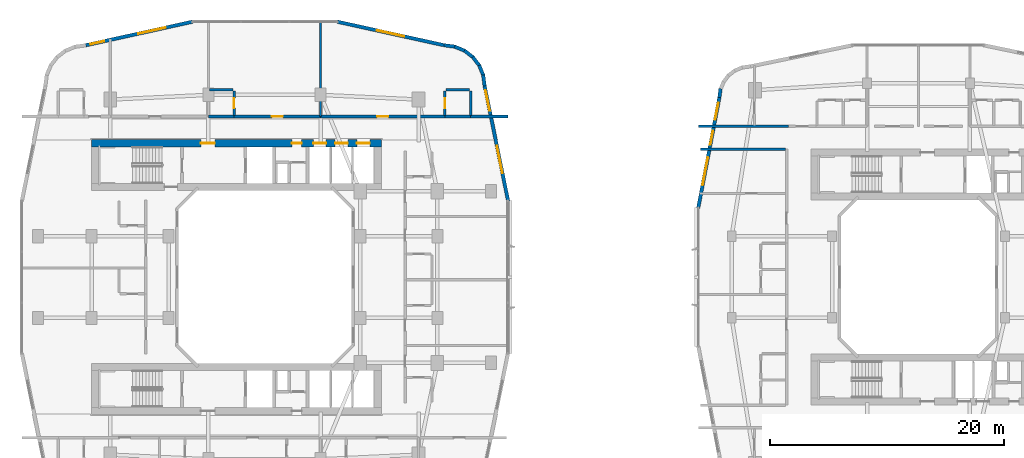
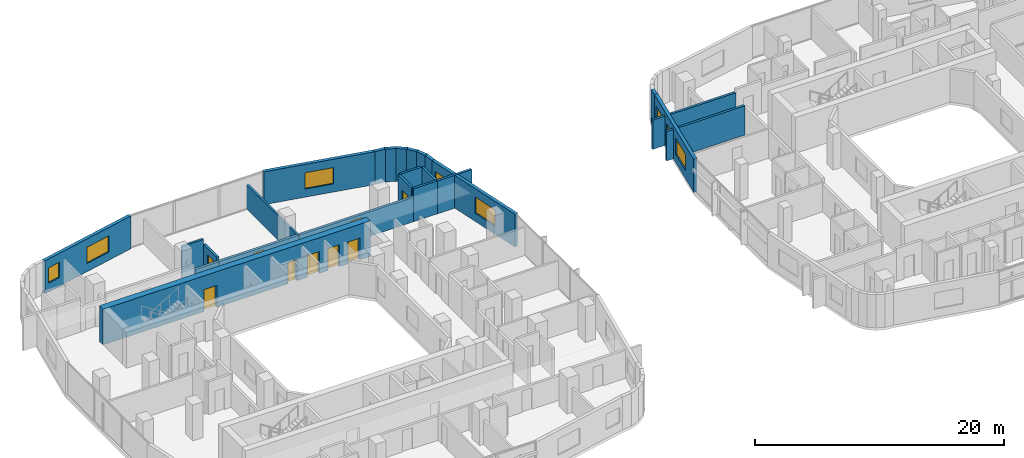
# One storey, part 17 of 27: 25 walls, 9 doors, 8 windows, 17 openings.
"""IFC4 building model written with IfcOpenShell, lengths in metres."""

from ifc_helpers import new_model, si_unit, derived_unit, direction, frame, frame_2d, origin, place, context, subcontext, project, spatial, rectangle, extrude, material, layer, layer_set, type_object, element, fill, save


model = new_model("IFC4")

# Units and contexts
model_context = context("Model", 3, precision=1e-05, world=origin(), true_north=direction((0.0, 1.0)))
body_context = subcontext(model_context, "Body", "Model", "MODEL_VIEW")
ifc_project = project(units=[si_unit("LENGTHUNIT", "METRE"), si_unit("AREAUNIT", "SQUARE_METRE"), si_unit("VOLUMEUNIT", "CUBIC_METRE"), si_unit("PLANEANGLEUNIT", "RADIAN"), si_unit("MASSUNIT", "GRAM", prefix="KILO"), derived_unit("THERMALTRANSMITTANCEUNIT", [(si_unit("POWERUNIT", "WATT"), 1), (si_unit("LENGTHUNIT", "METRE"), -2), (si_unit("THERMODYNAMICTEMPERATUREUNIT", "KELVIN"), -1)])], contexts=[model_context])

# Site, building, storey
site_placement = place(None, origin())
site = spatial("IfcSite", under=ifc_project, at=site_placement, CompositionType="ELEMENT")
building_placement = place(site_placement, origin())
building = spatial("IfcBuilding", under=site, at=building_placement, Name="Kivonza Crest Hotel", CompositionType="ELEMENT")
storey_placement = place(building_placement, frame((0.0, 0.0, 41.5)))
storey = spatial("IfcBuildingStorey", under=building, at=storey_placement, Name="L10", CompositionType="ELEMENT", Elevation=41.5)

# Walls
ifc_material_1 = material(Name="High-density acoustic masonry inter-tenancy wall", Category="masonry")
ifc_layer_1 = layer(ifc_material_1, 0.179931640625)
ifc_layer_set_1 = layer_set([ifc_layer_1], Name="High-density acoustic masonry inter-tenancy wall")
wall_type_1 = type_object("IfcWallType", Name="WL-ACOU-180", PredefinedType="SOLIDWALL", material=ifc_layer_set_1)
wall_1_placement = place(storey_placement, frame((25.800048828125, 38.75, 0.0), z_axis=(0.0, 0.0, 1.0), x_axis=(0.0, 1.0, 0.0)))
element("IfcWall", 1, at=wall_1_placement, inside=storey, type_object=wall_type_1, Name="L10 interior partition WA-L10-T1N-DIV3", PredefinedType="SOLIDWALL", context=body_context, shape_type="SweptSolid", body=[
    extrude(rectangle(XDim=8.18994140625, YDim=0.179931640625, at=frame_2d((4.094970703125, 0.0))), origin(), (0.0, 0.0, 1.0), 2.39501953125),
])
ifc_material_2 = material(Name="Autoclaved aerated concrete blockwork", Category="masonry")
ifc_layer_2 = layer(ifc_material_2, 0.219970703125)
ifc_layer_set_2 = layer_set([ifc_layer_2], Name="Autoclaved aerated concrete blockwork")
wall_type_2 = type_object("IfcWallType", Name="WL-ACOU-220", PredefinedType="SOLIDWALL", material=ifc_layer_set_2)
wall_2_placement = place(storey_placement, frame((16.199951171875, 38.75, 0.0), z_axis=(0.0, 0.0, 1.0), x_axis=(1.0, 0.0, 0.0)))
element("IfcWall", 2, at=wall_2_placement, inside=storey, type_object=wall_type_2, Name="L10 interior partition WA-L10-N02-BCORR", PredefinedType="SOLIDWALL", context=body_context, shape_type="SweptSolid", body=[
    extrude(rectangle(XDim=2.199951171875, YDim=0.219970703125, at=frame_2d((1.10009765625, 0.0))), origin(), (0.0, 0.0, 1.0), 2.39501953125),
])

# Wall, opening, door
wall_3_placement = place(storey_placement, frame((18.39990234375, 38.75, 0.0), z_axis=(0.0, 0.0, 1.0), x_axis=(1.0, 0.0, 0.0)))
wall_3 = element("IfcWall", 3, at=wall_3_placement, inside=storey, type_object=wall_type_2, Name="L10 interior partition WA-L10-N02-MCORR", PredefinedType="SOLIDWALL", context=body_context, shape_type="SweptSolid", body=[
    extrude(rectangle(XDim=7.400146484375, YDim=0.219970703125, at=frame_2d((3.7001953125, 0.0))), origin(), (0.0, 0.0, 1.0), 2.39501953125),
])
opening_1_placement = place(wall_3_placement, frame((3.22509765625, 0.0, 0.0)))
opening_1 = element("IfcOpeningElement", 4, at=opening_1_placement, cuts=wall_3, Name="Opening DU-60", PredefinedType="OPENING", context=body_context, shape_type="SweptSolid", body=[
    extrude(rectangle(XDim=0.949951171875, YDim=2.10009765625, at=frame_2d((0.47509765625, 1.050048828125))), frame((0.0, 0.1201171875, 0.0), z_axis=(0.0, -1.0, 0.0), x_axis=(1.0, 0.0, 0.0)), (0.0, 0.0, 1.0), 0.239990234375),
])
ifc_material_3 = material(Name="Hardwood timber oak", Category="wood")
door_type_1 = type_object("IfcDoorType", Name="DR-UNIT-950", OperationType="NOTDEFINED", PredefinedType="DOOR", material=ifc_material_3)
door_1_placement = place(opening_1_placement, origin())
door_1 = element("IfcDoor", 5, at=door_1_placement, inside=storey, type_object=door_type_1, Name="L10 N02 guest unit entrance fire door", OperationType="SINGLE_SWING_RIGHT", OverallHeight=2.10009765625, OverallWidth=0.949951171875, PredefinedType="DOOR", context=body_context, shape_type="SweptSolid", body=[
    extrude(rectangle(XDim=0.949951171875, YDim=2.10009765625, at=frame_2d((0.47509765625, 1.050048828125))), frame((0.0, 0.02490234375, 0.0), z_axis=(0.0, -1.0, 0.0), x_axis=(1.0, 0.0, 0.0)), (0.0, 0.0, 1.0), 0.050048828125),
])
fill(opening_1, door_1)

# Walls
wall_4_placement = place(storey_placement, frame((38.64990234375, 38.75, 0.0), z_axis=(0.0, 0.0, 1.0), x_axis=(1.0, 0.0, 0.0)))
element("IfcWall", 6, at=wall_4_placement, inside=storey, type_object=wall_type_2, Name="L10 interior partition WA-L10-N03-XCORR", PredefinedType="SOLIDWALL", context=body_context, shape_type="SweptSolid", body=[
    extrude(rectangle(XDim=3.190185546875, YDim=0.219970703125, at=frame_2d((1.59521484375, 0.0))), origin(), (0.0, 0.0, 1.0), 3.219970703125),
])
wall_5_placement = place(storey_placement, frame((36.449951171875, 38.75, 0.0), z_axis=(0.0, 0.0, 1.0), x_axis=(1.0, 0.0, 0.0)))
element("IfcWall", 7, at=wall_5_placement, inside=storey, type_object=wall_type_2, Name="L10 interior partition WA-L10-N03-BCORR", PredefinedType="SOLIDWALL", context=body_context, shape_type="SweptSolid", body=[
    extrude(rectangle(XDim=2.199951171875, YDim=0.219970703125, at=frame_2d((1.10009765625, 0.0))), origin(), (0.0, 0.0, 1.0), 3.219970703125),
])

# Wall, opening, door
wall_6_placement = place(storey_placement, frame((25.800048828125, 38.75, 0.0), z_axis=(0.0, 0.0, 1.0), x_axis=(1.0, 0.0, 0.0)))
wall_6 = element("IfcWall", 8, at=wall_6_placement, inside=storey, type_object=wall_type_2, Name="L10 interior partition WA-L10-N03-MCORR", PredefinedType="SOLIDWALL", context=body_context, shape_type="SweptSolid", body=[
    extrude(rectangle(XDim=10.64990234375, YDim=0.219970703125, at=frame_2d((5.324951171875, 0.0))), origin(), (0.0, 0.0, 1.0), 2.39501953125),
])
opening_2_placement = place(wall_6_placement, frame((4.85009765625, 0.0, 0.0)))
opening_2 = element("IfcOpeningElement", 9, at=opening_2_placement, cuts=wall_6, Name="Opening DU-60", PredefinedType="OPENING", context=body_context, shape_type="SweptSolid", body=[
    extrude(rectangle(XDim=0.949951171875, YDim=2.10009765625, at=frame_2d((0.47509765625, 1.050048828125))), frame((0.0, 0.1201171875, 0.0), z_axis=(0.0, -1.0, 0.0), x_axis=(1.0, 0.0, 0.0)), (0.0, 0.0, 1.0), 0.239990234375),
])
door_2_placement = place(opening_2_placement, origin())
door_2 = element("IfcDoor", 10, at=door_2_placement, inside=storey, type_object=door_type_1, Name="L10 N03 guest unit entrance fire door", OperationType="SINGLE_SWING_LEFT", OverallHeight=2.10009765625, OverallWidth=0.949951171875, PredefinedType="DOOR", context=body_context, shape_type="SweptSolid", body=[
    extrude(rectangle(XDim=0.949951171875, YDim=2.10009765625, at=frame_2d((0.47509765625, 1.050048828125))), frame((0.0, 0.02490234375, 0.0), z_axis=(0.0, -1.0, 0.0), x_axis=(1.0, 0.0, 0.0)), (0.0, 0.0, 1.0), 0.050048828125),
])
fill(opening_2, door_2)

# Walls
wall_7_placement = place(storey_placement, frame((58.159912109375, 37.89990234375, 0.0), z_axis=(0.0, 0.0, 1.0), x_axis=(1.0, 0.0, 0.0)))
element("IfcWall", 11, at=wall_7_placement, inside=storey, type_object=wall_type_2, Name="L10 interior partition WA-L10-A01-LCORR", PredefinedType="SOLIDWALL", context=body_context, shape_type="SweptSolid", body=[
    extrude(rectangle(XDim=7.690185546875, YDim=0.219970703125, at=frame_2d((3.84521484375, 0.0))), origin(), (0.0, 0.0, 1.0), 2.864990234375),
])
wall_8_placement = place(storey_placement, frame((58.320068359375, 35.9599609375, 0.0), z_axis=(0.0, 0.0, 1.0), x_axis=(1.0, 0.0, 0.0)))
element("IfcWall", 12, at=wall_8_placement, inside=storey, type_object=wall_type_2, Name="L10 interior partition WA-L10-T2W-ENDN", PredefinedType="SOLIDWALL", context=body_context, shape_type="SweptSolid", body=[
    extrude(rectangle(XDim=7.280029296875, YDim=0.219970703125, at=frame_2d((3.64013671875, 0.0))), origin(), (0.0, 0.0, 1.0), 2.864990234375),
])

# Wall, openings, doors
ifc_material_4 = material(Name="Concrete C60/75", Category="concrete")
ifc_layer_3 = layer(ifc_material_4, 0.60009765625)
ifc_layer_set_3 = layer_set([ifc_layer_3], Name="Concrete C60/75")
wall_type_3 = type_object("IfcWallType", Name="WL-CORE-600", PredefinedType="SHEAR", material=ifc_layer_set_3)
wall_9_placement = place(storey_placement, frame((6.199951171875, 36.4599609375, 0.0), z_axis=(0.0, 0.0, 1.0), x_axis=(1.0, 0.0, 0.0)))
wall_9 = element("IfcWall", 13, at=wall_9_placement, inside=storey, type_object=wall_type_3, Name="Core wall T1-N North L10", PredefinedType="SHEAR", context=body_context, shape_type="SweptSolid", body=[
    extrude(rectangle(XDim=24.800048828125, YDim=0.60009765625, at=frame_2d((12.39990234375, 0.0))), origin(), (0.0, 0.0, 1.0), 3.5),
])
opening_3_placement = place(wall_9_placement, frame((9.35009765625, 0.0, 0.0)))
opening_3 = element("IfcOpeningElement", 14, at=opening_3_placement, cuts=wall_9, Name="Opening DF-60", PredefinedType="OPENING", context=body_context, shape_type="SweptSolid", body=[
    extrude(rectangle(XDim=1.199951171875, YDim=2.14990234375, at=frame_2d((0.60009765625, 1.074951171875))), frame((0.0, 0.31005859375, 0.0), z_axis=(0.0, -1.0, 0.0), x_axis=(1.0, 0.0, 0.0)), (0.0, 0.0, 1.0), 0.6201171875),
])
opening_4_placement = place(wall_9_placement, frame((17.139892578125, 0.0, 0.0)))
opening_4 = element("IfcOpeningElement", 15, at=opening_4_placement, cuts=wall_9, Name="Opening DF-60R", PredefinedType="OPENING", context=body_context, shape_type="SweptSolid", body=[
    extrude(rectangle(XDim=0.85009765625, YDim=2.10009765625, at=frame_2d((0.425048828125, 1.050048828125))), frame((0.0, 0.31005859375, 0.0), z_axis=(0.0, -1.0, 0.0), x_axis=(1.0, 0.0, 0.0)), (0.0, 0.0, 1.0), 0.6201171875),
])
opening_5_placement = place(wall_9_placement, frame((18.98291015625, 0.0, 0.0)))
opening_5 = element("IfcOpeningElement", 16, at=opening_5_placement, cuts=wall_9, Name="Opening LD-120", PredefinedType="OPENING", context=body_context, shape_type="SweptSolid", body=[
    extrude(rectangle(XDim=1.10009765625, YDim=2.14990234375, at=frame_2d((0.550048828125, 1.074951171875))), frame((0.0, 0.31005859375, 0.0), z_axis=(0.0, -1.0, 0.0), x_axis=(1.0, 0.0, 0.0)), (0.0, 0.0, 1.0), 0.6201171875),
])
opening_6_placement = place(wall_9_placement, frame((20.85009765625, 0.0, 0.0)))
opening_6 = element("IfcOpeningElement", 17, at=opening_6_placement, cuts=wall_9, Name="Opening LD-120", PredefinedType="OPENING", context=body_context, shape_type="SweptSolid", body=[
    extrude(rectangle(XDim=1.10009765625, YDim=2.14990234375, at=frame_2d((0.550048828125, 1.074951171875))), frame((0.0, 0.31005859375, 0.0), z_axis=(0.0, -1.0, 0.0), x_axis=(1.0, 0.0, 0.0)), (0.0, 0.0, 1.0), 0.6201171875),
])
opening_7_placement = place(wall_9_placement, frame((22.716064453125, 0.0, 0.0)))
opening_7 = element("IfcOpeningElement", 18, at=opening_7_placement, cuts=wall_9, Name="Opening LD-120", PredefinedType="OPENING", context=body_context, shape_type="SweptSolid", body=[
    extrude(rectangle(XDim=1.10009765625, YDim=2.14990234375, at=frame_2d((0.550048828125, 1.074951171875))), frame((0.0, 0.31005859375, 0.0), z_axis=(0.0, -1.0, 0.0), x_axis=(1.0, 0.0, 0.0)), (0.0, 0.0, 1.0), 0.6201171875),
])
door_type_2 = type_object("IfcDoorType", Name="DR-FD60-1200", OperationType="NOTDEFINED", PredefinedType="DOOR", material=ifc_material_3)
door_3_placement = place(opening_3_placement, origin())
door_3 = element("IfcDoor", 19, at=door_3_placement, inside=storey, type_object=door_type_2, Name="L10 T1-N firefighting lobby fire door", OperationType="SINGLE_SWING_RIGHT", OverallHeight=2.14990234375, OverallWidth=1.199951171875, PredefinedType="DOOR", context=body_context, shape_type="SweptSolid", body=[
    extrude(rectangle(XDim=1.199951171875, YDim=2.14990234375, at=frame_2d((0.60009765625, 1.074951171875))), frame((0.0, 0.02490234375, 0.0), z_axis=(0.0, -1.0, 0.0), x_axis=(1.0, 0.0, 0.0)), (0.0, 0.0, 1.0), 0.050048828125),
])
fill(opening_3, door_3)
door_type_3 = type_object("IfcDoorType", Name="DR-FD60-850", OperationType="NOTDEFINED", PredefinedType="DOOR", material=ifc_material_3)
door_4_placement = place(opening_4_placement, origin())
door_4 = element("IfcDoor", 20, at=door_4_placement, inside=storey, type_object=door_type_3, Name="L10 T1-N core room door", OperationType="SINGLE_SWING_RIGHT", OverallHeight=2.10009765625, OverallWidth=0.85009765625, PredefinedType="DOOR", context=body_context, shape_type="SweptSolid", body=[
    extrude(rectangle(XDim=0.85009765625, YDim=2.10009765625, at=frame_2d((0.425048828125, 1.050048828125))), frame((0.0, 0.02490234375, 0.0), z_axis=(0.0, -1.0, 0.0), x_axis=(1.0, 0.0, 0.0)), (0.0, 0.0, 1.0), 0.050048828125),
])
fill(opening_4, door_4)
ifc_material_5 = material(Name="Stainless steel", Category="steel")
door_type_4 = type_object("IfcDoorType", Name="DR-LD120-1100", OperationType="NOTDEFINED", PredefinedType="DOOR", material=ifc_material_5)
door_5_placement = place(opening_5_placement, origin())
door_5 = element("IfcDoor", 21, at=door_5_placement, inside=storey, type_object=door_type_4, Name="L10 PL-T1-L1 passenger lift sliding landing door", OperationType="DOUBLE_DOOR_SLIDING", OverallHeight=2.14990234375, OverallWidth=1.10009765625, PredefinedType="DOOR", context=body_context, shape_type="SweptSolid", body=[
    extrude(rectangle(XDim=1.10009765625, YDim=2.14990234375, at=frame_2d((0.550048828125, 1.074951171875))), frame((0.0, 0.02490234375, 0.0), z_axis=(0.0, -1.0, 0.0), x_axis=(1.0, 0.0, 0.0)), (0.0, 0.0, 1.0), 0.050048828125),
])
fill(opening_5, door_5)
door_6_placement = place(opening_6_placement, origin())
door_6 = element("IfcDoor", 22, at=door_6_placement, inside=storey, type_object=door_type_4, Name="L10 PL-T1-L2 passenger lift sliding landing door", OperationType="DOUBLE_DOOR_SLIDING", OverallHeight=2.14990234375, OverallWidth=1.10009765625, PredefinedType="DOOR", context=body_context, shape_type="SweptSolid", body=[
    extrude(rectangle(XDim=1.10009765625, YDim=2.14990234375, at=frame_2d((0.550048828125, 1.074951171875))), frame((0.0, 0.02490234375, 0.0), z_axis=(0.0, -1.0, 0.0), x_axis=(1.0, 0.0, 0.0)), (0.0, 0.0, 1.0), 0.050048828125),
])
fill(opening_6, door_6)
door_7_placement = place(opening_7_placement, origin())
door_7 = element("IfcDoor", 23, at=door_7_placement, inside=storey, type_object=door_type_4, Name="L10 PL-T1-L3 passenger lift sliding landing door", OperationType="DOUBLE_DOOR_SLIDING", OverallHeight=2.14990234375, OverallWidth=1.10009765625, PredefinedType="DOOR", context=body_context, shape_type="SweptSolid", body=[
    extrude(rectangle(XDim=1.10009765625, YDim=2.14990234375, at=frame_2d((0.550048828125, 1.074951171875))), frame((0.0, 0.02490234375, 0.0), z_axis=(0.0, -1.0, 0.0), x_axis=(1.0, 0.0, 0.0)), (0.0, 0.0, 1.0), 0.050048828125),
])
fill(opening_7, door_7)

# Wall, openings, windows
ifc_material_6 = material(Name="Precast concrete C40/50", Category="concrete")
ifc_layer_4 = layer(ifc_material_6, 0.300048828125)
ifc_layer_set_4 = layer_set([ifc_layer_4], Name="Precast concrete C40/50")
wall_type_4 = type_object("IfcWallType", Name="WL-EXT-300", PredefinedType="STANDARD", material=ifc_layer_set_4)
wall_10_placement = place(storey_placement, frame((41.864013671875, 31.51611328125, 0.0), z_axis=(0.0, 0.0, 1.0), x_axis=(-0.199990901713, 0.979797754249, 0.0)))
wall_10 = element("IfcWall", 24, at=wall_10_placement, inside=storey, type_object=wall_type_4, Name="L10 T1 exterior insulated wall 18", PredefinedType="STANDARD", context=body_context, shape_type="SweptSolid", body=[
    extrude(rectangle(XDim=10.065185546875, YDim=0.300048828125, at=frame_2d((5.03271484375, 0.0))), origin(), (0.0, 0.0, 1.0), 3.219970703125),
])
opening_8_placement = place(wall_10_placement, frame((2.428955078125, 0.0, 0.800048828125)))
opening_8 = element("IfcOpeningElement", 25, at=opening_8_placement, cuts=wall_10, Name="Opening WN-05", PredefinedType="OPENING", context=body_context, shape_type="SweptSolid", body=[
    extrude(rectangle(XDim=2.39990234375, YDim=1.60009765625, at=frame_2d((1.199951171875, 0.800048828125))), frame((0.0, 0.16015625, 0.0), z_axis=(0.0, -1.0, 0.0), x_axis=(1.0, 0.0, 0.0)), (0.0, 0.0, 1.0), 0.320068359375),
])
opening_9_placement = place(wall_10_placement, frame((7.886962890625, 0.0, 0.85009765625)))
opening_9 = element("IfcOpeningElement", 26, at=opening_9_placement, cuts=wall_10, Name="Opening WN-03", PredefinedType="OPENING", context=body_context, shape_type="SweptSolid", body=[
    extrude(rectangle(XDim=1.800048828125, YDim=1.5, at=frame_2d((0.89990234375, 0.75))), frame((0.0, 0.16015625, 0.0), z_axis=(0.0, -1.0, 0.0), x_axis=(1.0, 0.0, 0.0)), (0.0, 0.0, 1.0), 0.320068359375),
])
ifc_material_7 = material(Name="Thermally broken bronze aluminium and low-E double glazing", Category="aluminium")
window_type_1 = type_object("IfcWindowType", Name="WN-180x150", PartitioningType="DOUBLE_PANEL_VERTICAL", PredefinedType="WINDOW", material=ifc_material_7)
window_1_placement = place(opening_9_placement, origin())
window_1 = element("IfcWindow", 27, at=window_1_placement, inside=storey, type_object=window_type_1, Name="L10 T1 facade window 18 bay 2", OverallHeight=1.5, OverallWidth=1.800048828125, PartitioningType="SINGLE_PANEL", PredefinedType="WINDOW", context=body_context, shape_type="SweptSolid", body=[
    extrude(rectangle(XDim=1.800048828125, YDim=1.5, at=frame_2d((0.89990234375, 0.75))), frame((0.0, 0.030029296875, 0.0), z_axis=(0.0, -1.0, 0.0), x_axis=(1.0, 0.0, 0.0)), (0.0, 0.0, 1.0), 0.06005859375),
])
fill(opening_9, window_1)
window_type_2 = type_object("IfcWindowType", Name="WN-240x160", PartitioningType="TRIPLE_PANEL_VERTICAL", PredefinedType="WINDOW", material=ifc_material_7)
window_2_placement = place(opening_8_placement, origin())
window_2 = element("IfcWindow", 28, at=window_2_placement, inside=storey, type_object=window_type_2, Name="L10 T1 facade window 18 bay 1", OverallHeight=1.60009765625, OverallWidth=2.39990234375, PartitioningType="SINGLE_PANEL", PredefinedType="WINDOW", context=body_context, shape_type="SweptSolid", body=[
    extrude(rectangle(XDim=2.39990234375, YDim=1.60009765625, at=frame_2d((1.199951171875, 0.800048828125))), frame((0.0, 0.030029296875, 0.0), z_axis=(0.0, -1.0, 0.0), x_axis=(1.0, 0.0, 0.0)), (0.0, 0.0, 1.0), 0.06005859375),
])
fill(opening_8, window_2)

# Walls
wall_11_placement = place(storey_placement, frame((39.85205078125, 41.3720703125, 0.0), z_axis=(0.0, 0.0, 1.0), x_axis=(-0.131174864804, 0.991359246108, 0.0)))
element("IfcWall", 29, at=wall_11_placement, inside=storey, type_object=wall_type_4, Name="L10 T1 exterior insulated wall 19", PredefinedType="STANDARD", context=body_context, shape_type="SweptSolid", body=[
    extrude(rectangle(XDim=0.93798828125, YDim=0.300048828125, at=frame_2d((0.468994140625, 0.0))), origin(), (0.0, 0.0, 1.0), 3.219970703125),
])
wall_12_placement = place(storey_placement, frame((39.748046875, 42.251953125, 0.0), z_axis=(0.0, 0.0, 1.0), x_axis=(-0.382344263057, 0.924019948111, 0.0)))
element("IfcWall", 30, at=wall_12_placement, inside=storey, type_object=wall_type_4, Name="L10 T1 exterior insulated wall 20", PredefinedType="STANDARD", context=body_context, shape_type="SweptSolid", body=[
    extrude(rectangle(XDim=0.95458984375, YDim=0.300048828125, at=frame_2d((0.477294921875, 0.0))), origin(), (0.0, 0.0, 1.0), 3.219970703125),
])
wall_13_placement = place(storey_placement, frame((39.4140625, 43.089111328125, 0.0), z_axis=(0.0, 0.0, 1.0), x_axis=(-0.608474481025, 0.793573440799, 0.0)))
element("IfcWall", 31, at=wall_13_placement, inside=storey, type_object=wall_type_4, Name="L10 T1 exterior insulated wall 21", PredefinedType="STANDARD", context=body_context, shape_type="SweptSolid", body=[
    extrude(rectangle(XDim=0.954833984375, YDim=0.300048828125, at=frame_2d((0.4775390625, 0.0))), origin(), (0.0, 0.0, 1.0), 3.219970703125),
])
wall_14_placement = place(storey_placement, frame((38.875, 43.81201171875, 0.0), z_axis=(0.0, 0.0, 1.0), x_axis=(-0.793668068435, 0.608351047625, 0.0)))
element("IfcWall", 32, at=wall_14_placement, inside=storey, type_object=wall_type_4, Name="L10 T1 exterior insulated wall 22", PredefinedType="STANDARD", context=body_context, shape_type="SweptSolid", body=[
    extrude(rectangle(XDim=0.955078125, YDim=0.300048828125, at=frame_2d((0.4775390625, 0.0))), origin(), (0.0, 0.0, 1.0), 3.219970703125),
])
wall_15_placement = place(storey_placement, frame((38.166015625, 44.368896484375, 0.0), z_axis=(0.0, 0.0, 1.0), x_axis=(-0.924019948111, 0.382344263057, 0.0)))
element("IfcWall", 33, at=wall_15_placement, inside=storey, type_object=wall_type_4, Name="L10 T1 exterior insulated wall 23", PredefinedType="STANDARD", context=body_context, shape_type="SweptSolid", body=[
    extrude(rectangle(XDim=0.95458984375, YDim=0.300048828125, at=frame_2d((0.477294921875, 0.0))), origin(), (0.0, 0.0, 1.0), 3.219970703125),
])
wall_16_placement = place(storey_placement, frame((37.3369140625, 44.72509765625, 0.0), z_axis=(0.0, 0.0, 1.0), x_axis=(-0.991454295543, 0.130454512571, 0.0)))
element("IfcWall", 34, at=wall_16_placement, inside=storey, type_object=wall_type_4, Name="L10 T1 exterior insulated wall 24", PredefinedType="STANDARD", context=body_context, shape_type="SweptSolid", body=[
    extrude(rectangle(XDim=0.97314453125, YDim=0.300048828125, at=frame_2d((0.486572265625, 0.0))), origin(), (0.0, 0.0, 1.0), 3.219970703125),
])

# Wall, opening, window
wall_17_placement = place(storey_placement, frame((36.3759765625, 44.85205078125, 0.0), z_axis=(0.0, 0.0, 1.0), x_axis=(-0.97654500432, 0.215313386808, 0.0)))
wall_17 = element("IfcWall", 35, at=wall_17_placement, inside=storey, type_object=wall_type_4, Name="L10 T1 exterior insulated wall 25", PredefinedType="STANDARD", context=body_context, shape_type="SweptSolid", body=[
    extrude(rectangle(XDim=9.353515625, YDim=0.300048828125, at=frame_2d((4.6767578125, 0.0))), origin(), (0.0, 0.0, 1.0), 3.219970703125),
])
opening_10_placement = place(wall_17_placement, frame((3.47705078125, 0.0, 0.800048828125)))
opening_10 = element("IfcOpeningElement", 36, at=opening_10_placement, cuts=wall_17, Name="Opening WN-05", PredefinedType="OPENING", context=body_context, shape_type="SweptSolid", body=[
    extrude(rectangle(XDim=2.39990234375, YDim=1.60009765625, at=frame_2d((1.199951171875, 0.800048828125))), frame((0.0, 0.16015625, 0.0), z_axis=(0.0, -1.0, 0.0), x_axis=(1.0, 0.0, 0.0)), (0.0, 0.0, 1.0), 0.320068359375),
])
window_3_placement = place(opening_10_placement, origin())
window_3 = element("IfcWindow", 37, at=window_3_placement, inside=storey, type_object=window_type_2, Name="L10 T1 facade window 25", OverallHeight=1.60009765625, OverallWidth=2.39990234375, PartitioningType="SINGLE_PANEL", PredefinedType="WINDOW", context=body_context, shape_type="SweptSolid", body=[
    extrude(rectangle(XDim=2.39990234375, YDim=1.60009765625, at=frame_2d((1.199951171875, 0.800048828125))), frame((0.0, 0.030029296875, 0.0), z_axis=(0.0, -1.0, 0.0), x_axis=(1.0, 0.0, 0.0)), (0.0, 0.0, 1.0), 0.06005859375),
])
fill(opening_10, window_3)

# Wall, openings, windows
wall_18_placement = place(storey_placement, frame((14.837890625, 46.865966796875, 0.0), z_axis=(0.0, 0.0, 1.0), x_axis=(-0.9765437942, -0.215318875183, 0.0)))
wall_18 = element("IfcWall", 38, at=wall_18_placement, inside=storey, type_object=wall_type_4, Name="L10 T1 exterior insulated wall 27", PredefinedType="STANDARD", context=body_context, shape_type="SweptSolid", body=[
    extrude(rectangle(XDim=9.353271484375, YDim=0.300048828125, at=frame_2d((4.6767578125, 0.0))), origin(), (0.0, 0.0, 1.0), 3.219970703125),
])
opening_11_placement = place(wall_18_placement, frame((2.364013671875, 0.0, 0.800048828125)))
opening_11 = element("IfcOpeningElement", 39, at=opening_11_placement, cuts=wall_18, Name="Opening WN-05", PredefinedType="OPENING", context=body_context, shape_type="SweptSolid", body=[
    extrude(rectangle(XDim=2.39990234375, YDim=1.60009765625, at=frame_2d((1.199951171875, 0.800048828125))), frame((0.0, 0.16015625, 0.0), z_axis=(0.0, -1.0, 0.0), x_axis=(1.0, 0.0, 0.0)), (0.0, 0.0, 1.0), 0.320068359375),
])
opening_12_placement = place(wall_18_placement, frame((7.74609375, 0.0, 0.85009765625)))
opening_12 = element("IfcOpeningElement", 40, at=opening_12_placement, cuts=wall_18, Name="Opening WN-01", PredefinedType="OPENING", context=body_context, shape_type="SweptSolid", body=[
    extrude(rectangle(XDim=1.199951171875, YDim=1.5, at=frame_2d((0.60009765625, 0.75))), frame((0.0, 0.16015625, 0.0), z_axis=(0.0, -1.0, 0.0), x_axis=(1.0, 0.0, 0.0)), (0.0, 0.0, 1.0), 0.320068359375),
])
window_type_3 = type_object("IfcWindowType", Name="WN-120x150", PartitioningType="SINGLE_PANEL", PredefinedType="WINDOW", material=ifc_material_7)
window_4_placement = place(opening_12_placement, origin())
window_4 = element("IfcWindow", 41, at=window_4_placement, inside=storey, type_object=window_type_3, Name="L10 T1 facade window 27 bay 2", OverallHeight=1.5, OverallWidth=1.199951171875, PartitioningType="SINGLE_PANEL", PredefinedType="WINDOW", context=body_context, shape_type="SweptSolid", body=[
    extrude(rectangle(XDim=1.199951171875, YDim=1.5, at=frame_2d((0.60009765625, 0.75))), frame((0.0, 0.030029296875, 0.0), z_axis=(0.0, -1.0, 0.0), x_axis=(1.0, 0.0, 0.0)), (0.0, 0.0, 1.0), 0.06005859375),
])
fill(opening_12, window_4)
window_5_placement = place(opening_11_placement, origin())
window_5 = element("IfcWindow", 42, at=window_5_placement, inside=storey, type_object=window_type_2, Name="L10 T1 facade window 27 bay 1", OverallHeight=1.60009765625, OverallWidth=2.39990234375, PartitioningType="SINGLE_PANEL", PredefinedType="WINDOW", context=body_context, shape_type="SweptSolid", body=[
    extrude(rectangle(XDim=2.39990234375, YDim=1.60009765625, at=frame_2d((1.199951171875, 0.800048828125))), frame((0.0, 0.030029296875, 0.0), z_axis=(0.0, -1.0, 0.0), x_axis=(1.0, 0.0, 0.0)), (0.0, 0.0, 1.0), 0.06005859375),
])
fill(opening_11, window_5)

# Wall
wall_19_placement = place(storey_placement, frame((60.047119140625, 41.131103515625, 0.0), z_axis=(0.0, 0.0, 1.0), x_axis=(-0.129653178221, -0.991559404866, 0.0)))
element("IfcWall", 43, at=wall_19_placement, inside=storey, type_object=wall_type_4, Name="L10 T2 exterior insulated wall 33", PredefinedType="STANDARD", context=body_context, shape_type="SweptSolid", body=[
    extrude(rectangle(XDim=0.764404296875, YDim=0.300048828125, at=frame_2d((0.38232421875, 0.0))), origin(), (0.0, 0.0, 1.0), 3.25),
])

# Wall, openings, windows
wall_20_placement = place(storey_placement, frame((59.948974609375, 40.3798828125, 0.0), z_axis=(0.0, 0.0, 1.0), x_axis=(-0.188087874316, -0.982152203854, 0.0)))
wall_20 = element("IfcWall", 44, at=wall_20_placement, inside=storey, type_object=wall_type_4, Name="L10 T2 exterior insulated wall 34", PredefinedType="STANDARD", context=body_context, shape_type="SweptSolid", body=[
    extrude(rectangle(XDim=9.6337890625, YDim=0.300048828125, at=frame_2d((4.81689453125, 0.0))), origin(), (0.0, 0.0, 1.0), 3.25),
])
opening_13_placement = place(wall_20_placement, frame((0.451904296875, 0.0, 0.85009765625)))
opening_13 = element("IfcOpeningElement", 45, at=opening_13_placement, cuts=wall_20, Name="Opening WN-02", PredefinedType="OPENING", context=body_context, shape_type="SweptSolid", body=[
    extrude(rectangle(XDim=1.5, YDim=1.5, at=frame_2d((0.75, 0.75))), frame((0.0, 0.16015625, 0.0), z_axis=(0.0, -1.0, 0.0), x_axis=(1.0, 0.0, 0.0)), (0.0, 0.0, 1.0), 0.320068359375),
])
opening_14_placement = place(wall_20_placement, frame((2.9130859375, 0.0, 0.85009765625)))
opening_14 = element("IfcOpeningElement", 46, at=opening_14_placement, cuts=wall_20, Name="Opening WN-01", PredefinedType="OPENING", context=body_context, shape_type="SweptSolid", body=[
    extrude(rectangle(XDim=1.199951171875, YDim=1.5, at=frame_2d((0.60009765625, 0.75))), frame((0.0, 0.16015625, 0.0), z_axis=(0.0, -1.0, 0.0), x_axis=(1.0, 0.0, 0.0)), (0.0, 0.0, 1.0), 0.320068359375),
])
opening_15_placement = place(wall_20_placement, frame((5.235107421875, 0.0, 0.800048828125)))
opening_15 = element("IfcOpeningElement", 47, at=opening_15_placement, cuts=wall_20, Name="Opening WN-05", PredefinedType="OPENING", context=body_context, shape_type="SweptSolid", body=[
    extrude(rectangle(XDim=2.39990234375, YDim=1.60009765625, at=frame_2d((1.199951171875, 0.800048828125))), frame((0.0, 0.16015625, 0.0), z_axis=(0.0, -1.0, 0.0), x_axis=(1.0, 0.0, 0.0)), (0.0, 0.0, 1.0), 0.320068359375),
])
window_6_placement = place(opening_14_placement, origin())
window_6 = element("IfcWindow", 48, at=window_6_placement, inside=storey, type_object=window_type_3, Name="L10 T2 facade window 34 bay 2", OverallHeight=1.5, OverallWidth=1.199951171875, PartitioningType="SINGLE_PANEL", PredefinedType="WINDOW", context=body_context, shape_type="SweptSolid", body=[
    extrude(rectangle(XDim=1.199951171875, YDim=1.5, at=frame_2d((0.60009765625, 0.75))), frame((0.0, 0.030029296875, 0.0), z_axis=(0.0, -1.0, 0.0), x_axis=(1.0, 0.0, 0.0)), (0.0, 0.0, 1.0), 0.06005859375),
])
fill(opening_14, window_6)
window_type_4 = type_object("IfcWindowType", Name="WN-150x150", PartitioningType="DOUBLE_PANEL_VERTICAL", PredefinedType="WINDOW", material=ifc_material_7)
window_7_placement = place(opening_13_placement, origin())
window_7 = element("IfcWindow", 49, at=window_7_placement, inside=storey, type_object=window_type_4, Name="L10 T2 facade window 34 bay 1", OverallHeight=1.5, OverallWidth=1.5, PartitioningType="SINGLE_PANEL", PredefinedType="WINDOW", context=body_context, shape_type="SweptSolid", body=[
    extrude(rectangle(XDim=1.5, YDim=1.5, at=frame_2d((0.75, 0.75))), frame((0.0, 0.030029296875, 0.0), z_axis=(0.0, -1.0, 0.0), x_axis=(1.0, 0.0, 0.0)), (0.0, 0.0, 1.0), 0.06005859375),
])
fill(opening_13, window_7)
window_8_placement = place(opening_15_placement, origin())
window_8 = element("IfcWindow", 50, at=window_8_placement, inside=storey, type_object=window_type_2, Name="L10 T2 facade window 34 bay 3", OverallHeight=1.60009765625, OverallWidth=2.39990234375, PartitioningType="SINGLE_PANEL", PredefinedType="WINDOW", context=body_context, shape_type="SweptSolid", body=[
    extrude(rectangle(XDim=2.39990234375, YDim=1.60009765625, at=frame_2d((1.199951171875, 0.800048828125))), frame((0.0, 0.030029296875, 0.0), z_axis=(0.0, -1.0, 0.0), x_axis=(1.0, 0.0, 0.0)), (0.0, 0.0, 1.0), 0.06005859375),
])
fill(opening_15, window_8)

# Wall, opening, door
ifc_material_8 = material(Name="Moisture-resistant plumbing chase partition wall", Category="gypsum")
ifc_layer_5 = layer(ifc_material_8, 0.199951171875)
ifc_layer_set_5 = layer_set([ifc_layer_5], Name="Moisture-resistant plumbing chase partition wall")
wall_type_5 = type_object("IfcWallType", Name="WL-PLUMB-200", PredefinedType="PLUMBINGWALL", material=ifc_layer_set_5)
wall_21_placement = place(storey_placement, frame((18.39990234375, 38.85009765625, 0.0), z_axis=(0.0, 0.0, 1.0), x_axis=(0.0, 1.0, 0.0)))
wall_21 = element("IfcWall", 51, at=wall_21_placement, inside=storey, type_object=wall_type_5, Name="L10 interior partition WW-L10-N02-BV", PredefinedType="PLUMBINGWALL", context=body_context, shape_type="SweptSolid", body=[
    extrude(rectangle(XDim=2.099853515625, YDim=0.199951171875, at=frame_2d((1.0498046875, 0.0))), origin(), (0.0, 0.0, 1.0), 2.7451171875),
])
opening_16_placement = place(wall_21_placement, frame((0.625, 0.0, 0.0)))
opening_16 = element("IfcOpeningElement", 52, at=opening_16_placement, cuts=wall_21, Name="Opening DI-85", PredefinedType="OPENING", context=body_context, shape_type="SweptSolid", body=[
    extrude(rectangle(XDim=0.85009765625, YDim=2.10009765625, at=frame_2d((0.425048828125, 1.050048828125))), frame((0.0, 0.10986328125, 0.0), z_axis=(0.0, -1.0, 0.0), x_axis=(1.0, 0.0, 0.0)), (0.0, 0.0, 1.0), 0.219970703125),
])
door_type_5 = type_object("IfcDoorType", Name="DR-INT-850", OperationType="NOTDEFINED", PredefinedType="DOOR", material=ifc_material_3)
door_8_placement = place(opening_16_placement, frame((0.85009765625, 0.0, 0.0), z_axis=(0.0, 0.0, 1.0), x_axis=(-1.0, 0.0, 0.0)))
door_8 = element("IfcDoor", 53, at=door_8_placement, inside=storey, type_object=door_type_5, Name="L10 N02 en-suite bathroom door", OperationType="SINGLE_SWING_LEFT", OverallHeight=2.10009765625, OverallWidth=0.85009765625, PredefinedType="DOOR", context=body_context, shape_type="SweptSolid", body=[
    extrude(rectangle(XDim=0.85009765625, YDim=2.10009765625, at=frame_2d((0.425048828125, 1.050048828125))), frame((0.0, 0.02490234375, 0.0), z_axis=(0.0, -1.0, 0.0), x_axis=(1.0, 0.0, 0.0)), (0.0, 0.0, 1.0), 0.050048828125),
])
fill(opening_16, door_8)

# Wall
wall_22_placement = place(storey_placement, frame((16.300048828125, 41.050048828125, 0.0), z_axis=(0.0, 0.0, 1.0), x_axis=(1.0, 0.0, 0.0)))
element("IfcWall", 54, at=wall_22_placement, inside=storey, type_object=wall_type_5, Name="L10 interior partition WW-L10-N02-BH", PredefinedType="PLUMBINGWALL", context=body_context, shape_type="SweptSolid", body=[
    extrude(rectangle(XDim=2.0, YDim=0.199951171875, at=frame_2d((1.0, 0.0))), origin(), (0.0, 0.0, 1.0), 3.219970703125),
])

# Wall, opening, door
wall_23_placement = place(storey_placement, frame((36.449951171875, 38.85009765625, 0.0), z_axis=(0.0, 0.0, 1.0), x_axis=(0.0, 1.0, 0.0)))
wall_23 = element("IfcWall", 55, at=wall_23_placement, inside=storey, type_object=wall_type_5, Name="L10 interior partition WW-L10-N03-BV", PredefinedType="PLUMBINGWALL", context=body_context, shape_type="SweptSolid", body=[
    extrude(rectangle(XDim=2.099853515625, YDim=0.199951171875, at=frame_2d((1.0498046875, 0.0))), origin(), (0.0, 0.0, 1.0), 3.219970703125),
])
opening_17_placement = place(wall_23_placement, frame((0.625, 0.0, 0.0)))
opening_17 = element("IfcOpeningElement", 56, at=opening_17_placement, cuts=wall_23, Name="Opening DI-85", PredefinedType="OPENING", context=body_context, shape_type="SweptSolid", body=[
    extrude(rectangle(XDim=0.85009765625, YDim=2.10009765625, at=frame_2d((0.425048828125, 1.050048828125))), frame((0.0, 0.10986328125, 0.0), z_axis=(0.0, -1.0, 0.0), x_axis=(1.0, 0.0, 0.0)), (0.0, 0.0, 1.0), 0.219970703125),
])
door_9_placement = place(opening_17_placement, origin())
door_9 = element("IfcDoor", 57, at=door_9_placement, inside=storey, type_object=door_type_5, Name="L10 N03 en-suite bathroom door", OperationType="SINGLE_SWING_RIGHT", OverallHeight=2.10009765625, OverallWidth=0.85009765625, PredefinedType="DOOR", context=body_context, shape_type="SweptSolid", body=[
    extrude(rectangle(XDim=0.85009765625, YDim=2.10009765625, at=frame_2d((0.425048828125, 1.050048828125))), frame((0.0, 0.02490234375, 0.0), z_axis=(0.0, -1.0, 0.0), x_axis=(1.0, 0.0, 0.0)), (0.0, 0.0, 1.0), 0.050048828125),
])
fill(opening_17, door_9)

# Walls
wall_24_placement = place(storey_placement, frame((36.550048828125, 41.050048828125, 0.0), z_axis=(0.0, 0.0, 1.0), x_axis=(1.0, 0.0, 0.0)))
element("IfcWall", 58, at=wall_24_placement, inside=storey, type_object=wall_type_5, Name="L10 interior partition WW-L10-N03-BH", PredefinedType="PLUMBINGWALL", context=body_context, shape_type="SweptSolid", body=[
    extrude(rectangle(XDim=2.0, YDim=0.199951171875, at=frame_2d((1.0, 0.0))), origin(), (0.0, 0.0, 1.0), 3.219970703125),
])
wall_25_placement = place(storey_placement, frame((38.64990234375, 38.85009765625, 0.0), z_axis=(0.0, 0.0, 1.0), x_axis=(0.0, 1.0, 0.0)))
element("IfcWall", 59, at=wall_25_placement, inside=storey, type_object=wall_type_5, Name="L10 interior partition WW-L10-N03-BVE", PredefinedType="PLUMBINGWALL", context=body_context, shape_type="SweptSolid", body=[
    extrude(rectangle(XDim=2.099853515625, YDim=0.199951171875, at=frame_2d((1.0498046875, 0.0))), origin(), (0.0, 0.0, 1.0), 3.219970703125),
])

save(model, "model.ifc")
